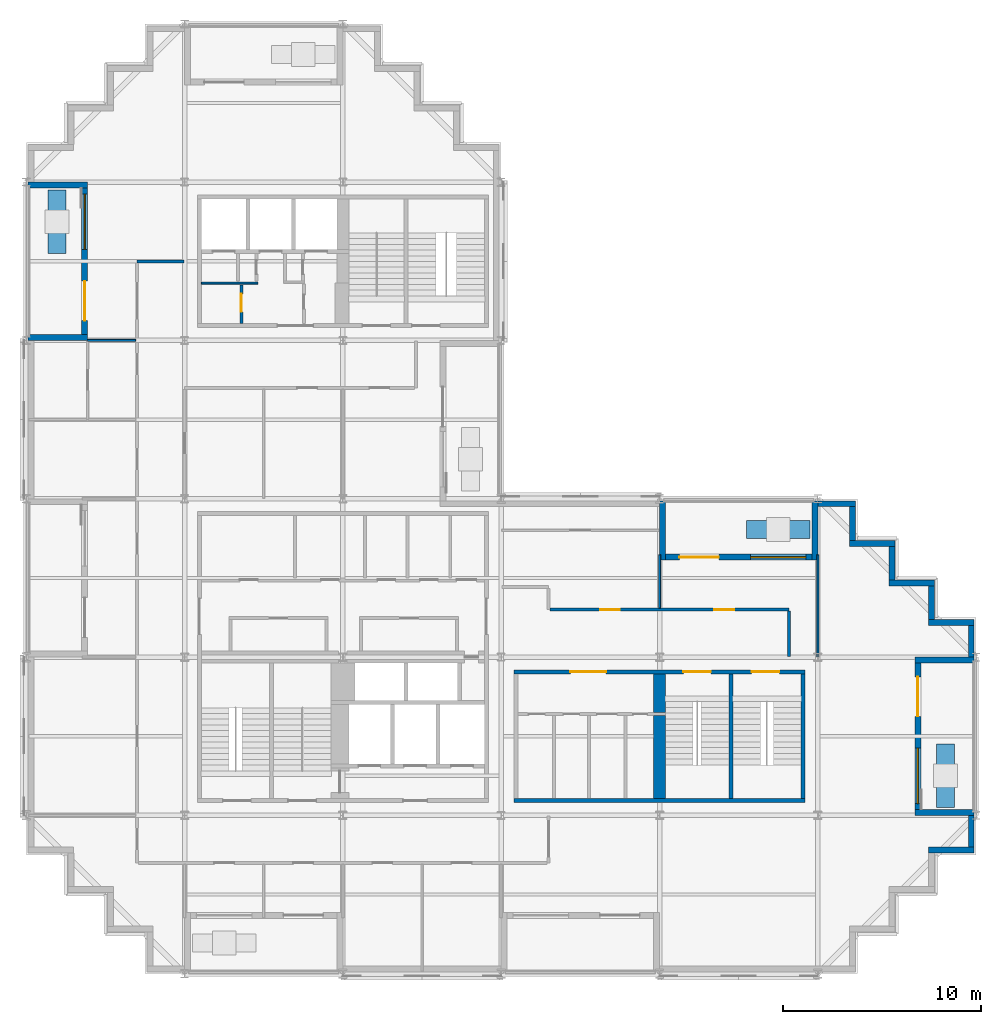
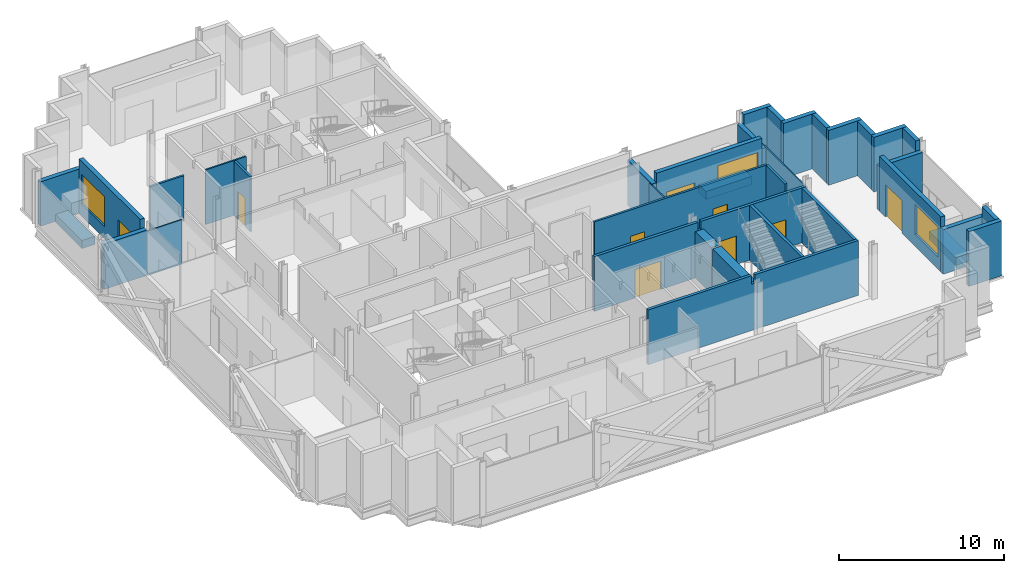
# One storey, part 7 of 12: 36 walls, 9 doors, 3 windows, 12 openings.
"""IFC4 building model written with IfcOpenShell, lengths in metres."""

from ifc_helpers import new_model, si_unit, direction, frame, frame_2d, origin, place, context, subcontext, project, spatial, polyline, rectangle, outline, extrude, material, layer, layer_set, type_object, element, fill, save


model = new_model("IFC4")

# Units and contexts
model_context = context("Model", 3, precision=1e-05, world=origin(), true_north=direction((0.0, 1.0)))
body_context = subcontext(model_context, "Body", "Model", "MODEL_VIEW")
ifc_project = project(units=[si_unit("LENGTHUNIT", "METRE"), si_unit("AREAUNIT", "SQUARE_METRE"), si_unit("VOLUMEUNIT", "CUBIC_METRE"), si_unit("PLANEANGLEUNIT", "RADIAN"), si_unit("MASSUNIT", "GRAM", prefix="KILO")], contexts=[model_context])

# Site, building, storey
site_placement = place(None, origin())
site = spatial("IfcSite", under=ifc_project, at=site_placement, CompositionType="ELEMENT")
building_placement = place(site_placement, origin())
building = spatial("IfcBuilding", under=site, at=building_placement, Name="Immortelle Media Tower", CompositionType="ELEMENT")
storey_placement = place(building_placement, frame((0.0, 0.0, 124.199951171875)))
storey = spatial("IfcBuildingStorey", under=building, at=storey_placement, Name="L24", CompositionType="ELEMENT", Elevation=124.199951171875)

# Wall
ifc_material_1 = material(Name="Fire-rated gypsum board", Category="gypsum")
ifc_layer_1 = layer(ifc_material_1, 0.02490234375)
ifc_material_2 = material(Name="Steel ASTM A653 SS Gr 50 stud frame with mineral wool", Category="steel")
ifc_layer_2 = layer(ifc_material_2, 0.050048828125)
ifc_layer_3 = layer(ifc_material_1, 0.02490234375)
ifc_layer_set_1 = layer_set([ifc_layer_1, ifc_layer_2, ifc_layer_3], Name="Steel ASTM A653 SS Gr 50 stud frame with mineral wool")
wall_type_1 = type_object("IfcWallType", Name="Core partition 100", PredefinedType="PARTITIONING", material=ifc_layer_set_1)
wall_1_placement = place(storey_placement, frame((8.85009765625, 34.89990234375, 0.0), z_axis=(0.0, 0.0, 1.0), x_axis=(1.0, 0.0, 0.0)))
element("IfcWall", 1, at=wall_1_placement, inside=storey, type_object=wall_type_1, Name="Core partition NW", PredefinedType="PARTITIONING", context=body_context, shape_type="SweptSolid", body=[
    extrude(rectangle(XDim=2.849853515625, YDim=0.10009765625, at=frame_2d((1.4248046875, 0.0))), origin(), (0.0, 0.0, 1.0), 4.050048828125),
])

# Wall, opening, door
ifc_layer_4 = layer(ifc_material_1, 0.02490234375)
ifc_layer_5 = layer(ifc_material_2, 0.10009765625)
ifc_layer_6 = layer(ifc_material_1, 0.02490234375)
ifc_layer_set_2 = layer_set([ifc_layer_4, ifc_layer_5, ifc_layer_6], Name="Steel ASTM A653 SS Gr 50 stud frame with mineral wool")
wall_type_2 = type_object("IfcWallType", Name="Core partition 150", PredefinedType="PARTITIONING", material=ifc_layer_set_2)
wall_2_placement = place(storey_placement, frame((10.875, 32.85009765625, 0.0), z_axis=(0.0, 0.0, 1.0), x_axis=(0.0, 1.0, 0.0)))
wall_2 = element("IfcWall", 2, at=wall_2_placement, inside=storey, type_object=wall_type_2, Name="Core partition NW", PredefinedType="PARTITIONING", context=body_context, shape_type="SweptSolid", body=[
    extrude(rectangle(XDim=1.949951171875, YDim=0.14990234375, at=frame_2d((0.97509765625, 0.0))), origin(), (0.0, 0.0, 1.0), 4.050048828125),
])
opening_1_placement = place(wall_2_placement, frame((0.60009765625, 0.0, 0.0)))
opening_1 = element("IfcOpeningElement", 3, at=opening_1_placement, cuts=wall_2, Name="Opening C1-K026", PredefinedType="OPENING", context=body_context, shape_type="SweptSolid", body=[
    extrude(rectangle(XDim=0.89990234375, YDim=2.10009765625, at=frame_2d((0.449951171875, 1.050048828125))), frame((0.0, 0.0849609375, 0.0), z_axis=(0.0, -1.0, 0.0), x_axis=(1.0, 0.0, 0.0)), (0.0, 0.0, 1.0), 0.169921875),
])
ifc_material_3 = material(Name="Galvanised steel door leaf and frame ASTM A653", Category="steel")
door_type_1 = type_object("IfcDoorType", Name="Service door 900 x 2100", OperationType="NOTDEFINED", PredefinedType="NOTDEFINED", material=ifc_material_3)
door_1_placement = place(opening_1_placement, origin())
door_1 = element("IfcDoor", 4, at=door_1_placement, inside=storey, type_object=door_type_1, Name="Service C1-K026", OperationType="SINGLE_SWING_RIGHT", OverallHeight=2.10009765625, OverallWidth=0.89990234375, PredefinedType="NOTDEFINED", context=body_context, shape_type="SweptSolid", body=[
    extrude(rectangle(XDim=0.89990234375, YDim=2.10009765625, at=frame_2d((0.449951171875, 1.050048828125))), frame((0.0, 0.02490234375, 0.0), z_axis=(0.0, -1.0, 0.0), x_axis=(1.0, 0.0, 0.0)), (0.0, 0.0, 1.0), 0.050048828125),
])
fill(opening_1, door_1)

# Wall
ifc_layer_7 = layer(ifc_material_1, 0.012451171875)
ifc_layer_8 = layer(ifc_material_2, 0.125)
ifc_layer_9 = layer(ifc_material_1, 0.012451171875)
ifc_layer_set_3 = layer_set([ifc_layer_7, ifc_layer_8, ifc_layer_9], Name="Steel ASTM A653 SS Gr 50 stud frame with mineral wool")
wall_type_3 = type_object("IfcWallType", Name="Corridor wall 150", PredefinedType="PARTITIONING", material=ifc_layer_set_3)
wall_3_placement = place(storey_placement, frame((38.550048828125, 16.030029296875, 0.0), z_axis=(0.0, 0.0, 1.0), x_axis=(0.0, 1.0, 0.0)))
element("IfcWall", 5, at=wall_3_placement, inside=storey, type_object=wall_type_3, Name="Partition L24-011", PredefinedType="PARTITIONING", context=body_context, shape_type="SweptSolid", body=[
    extrude(rectangle(XDim=2.294921875, YDim=0.14990234375, at=frame_2d((1.1474609375, 0.0))), origin(), (0.0, 0.0, 1.0), 4.050048828125),
])

# Wall, openings, doors
wall_4_placement = place(storey_placement, frame((26.47509765625, 18.39990234375, 0.0), z_axis=(0.0, 0.0, 1.0), x_axis=(1.0, 0.0, 0.0)))
wall_4 = element("IfcWall", 6, at=wall_4_placement, inside=storey, type_object=wall_type_3, Name="Partition L24-013", PredefinedType="PARTITIONING", context=body_context, shape_type="SweptSolid", body=[
    extrude(rectangle(XDim=12.074951171875, YDim=0.14990234375, at=frame_2d((6.03759765625, 0.0))), origin(), (0.0, 0.0, 1.0), 4.050048828125),
])
opening_2_placement = place(wall_4_placement, frame((8.300048828125, 0.0, 0.0)))
opening_2 = element("IfcOpeningElement", 7, at=opening_2_placement, cuts=wall_4, Name="Opening C1-F008", PredefinedType="OPENING", context=body_context, shape_type="SweptSolid", body=[
    extrude(rectangle(XDim=1.0, YDim=2.10009765625, at=frame_2d((0.5, 1.050048828125))), frame((0.0, 0.0849609375, 0.0), z_axis=(0.0, -1.0, 0.0), x_axis=(1.0, 0.0, 0.0)), (0.0, 0.0, 1.0), 0.169921875),
])
opening_3_placement = place(wall_4_placement, frame((2.52490234375, 0.0, 0.0)))
opening_3 = element("IfcOpeningElement", 8, at=opening_3_placement, cuts=wall_4, Name="Opening C1-F010", PredefinedType="OPENING", context=body_context, shape_type="SweptSolid", body=[
    extrude(rectangle(XDim=1.0, YDim=2.10009765625, at=frame_2d((0.5, 1.050048828125))), frame((0.0, 0.0849609375, 0.0), z_axis=(0.0, -1.0, 0.0), x_axis=(1.0, 0.0, 0.0)), (0.0, 0.0, 1.0), 0.169921875),
])
ifc_material_4 = material(Name="Timber veneered door leaf, galvanised steel frame ASTM A653", Category="steel")
door_type_2 = type_object("IfcDoorType", Name="Room door 1000 x 2100", OperationType="NOTDEFINED", PredefinedType="DOOR", material=ifc_material_4)
door_2_placement = place(opening_2_placement, origin())
door_2 = element("IfcDoor", 9, at=door_2_placement, inside=storey, type_object=door_type_2, Name="Door C1-F008", OperationType="SINGLE_SWING_LEFT", OverallHeight=2.10009765625, OverallWidth=1.0, PredefinedType="DOOR", context=body_context, shape_type="SweptSolid", body=[
    extrude(rectangle(XDim=1.0, YDim=2.10009765625, at=frame_2d((0.5, 1.050048828125))), frame((0.0, 0.02490234375, 0.0), z_axis=(0.0, -1.0, 0.0), x_axis=(1.0, 0.0, 0.0)), (0.0, 0.0, 1.0), 0.050048828125),
])
fill(opening_2, door_2)
door_3_placement = place(opening_3_placement, origin())
door_3 = element("IfcDoor", 10, at=door_3_placement, inside=storey, type_object=door_type_2, Name="Door C1-F010", OperationType="SINGLE_SWING_RIGHT", OverallHeight=2.10009765625, OverallWidth=1.0, PredefinedType="DOOR", context=body_context, shape_type="SweptSolid", body=[
    extrude(rectangle(XDim=1.0, YDim=2.10009765625, at=frame_2d((0.5, 1.050048828125))), frame((0.0, 0.02490234375, 0.0), z_axis=(0.0, -1.0, 0.0), x_axis=(1.0, 0.0, 0.0)), (0.0, 0.0, 1.0), 0.050048828125),
])
fill(opening_3, door_3)

# Walls
wall_5_placement = place(storey_placement, frame((5.60009765625, 36.0, 0.0), z_axis=(0.0, 0.0, 1.0), x_axis=(1.0, 0.0, 0.0)))
element("IfcWall", 11, at=wall_5_placement, inside=storey, type_object=wall_type_3, Name="Partition L24-028", PredefinedType="PARTITIONING", context=body_context, shape_type="SweptSolid", body=[
    extrude(rectangle(XDim=2.369873046875, YDim=0.14990234375, at=frame_2d((1.18505859375, 0.0))), origin(), (0.0, 0.0, 1.0), 3.2880859375),
])
ifc_material_5 = material(Name="Pale aluminium cladding panel", Category="aluminium")
ifc_layer_10 = layer(ifc_material_5, 0.030029296875)
ifc_layer_11 = layer(ifc_material_2, 0.257568359375)
ifc_material_6 = material(Name="Moisture-resistant gypsum board", Category="gypsum")
ifc_layer_12 = layer(ifc_material_6, 0.012451171875)
ifc_layer_set_4 = layer_set([ifc_layer_10, ifc_layer_11, ifc_layer_12], Name="Steel ASTM A653 SS Gr 50 stud frame with mineral wool")
wall_type_4 = type_object("IfcWallType", Name="Facade wall 300", PredefinedType="SOLIDWALL", material=ifc_layer_set_4)
wall_6_placement = place(storey_placement, frame((45.60009765625, 6.25, 0.0), z_axis=(0.0, 0.0, 1.0), x_axis=(1.0, 0.0, 0.0)))
element("IfcWall", 12, at=wall_6_placement, inside=storey, type_object=wall_type_4, Name="Facade wall L24 S12", PredefinedType="SOLIDWALL", context=body_context, shape_type="SweptSolid", body=[
    extrude(rectangle(XDim=2.2998046875, YDim=0.300048828125, at=frame_2d((1.14990234375, 0.0))), origin(), (0.0, 0.0, 1.0), 4.050048828125),
])
wall_7_placement = place(storey_placement, frame((47.75, 6.39990234375, 0.0), z_axis=(0.0, 0.0, 1.0), x_axis=(0.0, 1.0, 0.0)))
element("IfcWall", 13, at=wall_7_placement, inside=storey, type_object=wall_type_4, Name="Facade wall L24 E13", PredefinedType="SOLIDWALL", context=body_context, shape_type="SweptSolid", body=[
    extrude(rectangle(XDim=1.60009765625, YDim=0.300048828125, at=frame_2d((0.800048828125, 0.0))), origin(), (0.0, 0.0, 1.0), 4.050048828125),
])

# Wall, openings, door, window
wall_8_placement = place(storey_placement, frame((45.050048828125, 8.300048828125, 0.0), z_axis=(0.0, 0.0, 1.0), x_axis=(0.0, 1.0, 0.0)))
wall_8 = element("IfcWall", 14, at=wall_8_placement, inside=storey, type_object=wall_type_4, Name="Loggia wall L24 E13", PredefinedType="SOLIDWALL", context=body_context, shape_type="SweptSolid", body=[
    extrude(rectangle(XDim=7.39990234375, YDim=0.300048828125, at=frame_2d((3.699951171875, 0.0))), origin(), (0.0, 0.0, 1.0), 4.050048828125),
])
opening_4_placement = place(wall_8_placement, frame((0.300048828125, 0.0, 0.89990234375)))
opening_4 = element("IfcOpeningElement", 15, at=opening_4_placement, cuts=wall_8, Name="Opening W1", PredefinedType="OPENING", context=body_context, shape_type="SweptSolid", body=[
    extrude(rectangle(XDim=2.800048828125, YDim=2.199951171875, at=frame_2d((1.39990234375, 1.10009765625))), frame((0.0, 0.159912109375, 0.0), z_axis=(0.0, -1.0, 0.0), x_axis=(1.0, 0.0, 0.0)), (0.0, 0.0, 1.0), 0.320068359375),
])
opening_5_placement = place(wall_8_placement, frame((4.699951171875, 0.0, 0.0)))
opening_5 = element("IfcOpeningElement", 16, at=opening_5_placement, cuts=wall_8, Name="Opening C1-E003", PredefinedType="OPENING", context=body_context, shape_type="SweptSolid", body=[
    extrude(rectangle(XDim=2.0, YDim=2.39990234375, at=frame_2d((1.0, 1.199951171875))), frame((0.0, 0.159912109375, 0.0), z_axis=(0.0, -1.0, 0.0), x_axis=(1.0, 0.0, 0.0)), (0.0, 0.0, 1.0), 0.320068359375),
])
ifc_material_7 = material(Name="Aluminium frame, glazed leaves", Category="aluminium")
door_type_3 = type_object("IfcDoorType", Name="Loggia door 2000 x 2400", OperationType="DOUBLE_DOOR_SINGLE_SWING", PredefinedType="DOOR", material=ifc_material_7)
door_4_placement = place(opening_5_placement, origin())
door_4 = element("IfcDoor", 17, at=door_4_placement, inside=storey, type_object=door_type_3, Name="Door C1-E003", OperationType="DOUBLE_DOOR_SINGLE_SWING", OverallHeight=2.39990234375, OverallWidth=2.0, PredefinedType="DOOR", context=body_context, shape_type="SweptSolid", body=[
    extrude(rectangle(XDim=2.0, YDim=2.39990234375, at=frame_2d((1.0, 1.199951171875))), frame((0.0, 0.02490234375, 0.0), z_axis=(0.0, -1.0, 0.0), x_axis=(1.0, 0.0, 0.0)), (0.0, 0.0, 1.0), 0.050048828125),
])
fill(opening_5, door_4)
ifc_material_8 = material(Name="Aluminium frame", Category="aluminium")
window_type = type_object("IfcWindowType", Name="Window 2800 x 2200", PartitioningType="SINGLE_PANEL", PredefinedType="WINDOW", material=ifc_material_8)
window_1_placement = place(opening_4_placement, origin())
window_1 = element("IfcWindow", 18, at=window_1_placement, inside=storey, type_object=window_type, Name="Window L24 L24-R13-B0", OverallHeight=2.199951171875, OverallWidth=2.800048828125, PartitioningType="SINGLE_PANEL", PredefinedType="WINDOW", context=body_context, shape_type="SweptSolid", body=[
    extrude(rectangle(XDim=2.800048828125, YDim=2.199951171875, at=frame_2d((1.39990234375, 1.10009765625))), frame((0.0, 0.030029296875, 0.0), z_axis=(0.0, -1.0, 0.0), x_axis=(1.0, 0.0, 0.0)), (0.0, 0.0, 1.0), 0.06005859375),
])
fill(opening_4, window_1)

# Walls
for number, where, z_axis, x_axis, name in (
    (19, (47.89990234375, 8.14990234375, 0.0), (0.0, 0.0, 1.0), (-1.0, 0.0, 0.0), "Loggia cheek wall L24 E"),
    (20, (47.89990234375, 15.85009765625, 0.0), (0.0, 0.0, 1.0), (-1.0, 0.0, 0.0), "Loggia cheek wall L24 E"),
):
    element("IfcWall", number, at=place(storey_placement, frame(where, z_axis=z_axis, x_axis=x_axis)), inside=storey, type_object=wall_type_4, Name=name, PredefinedType="SOLIDWALL", context=body_context, shape_type="SweptSolid", body=[
        extrude(rectangle(XDim=3.0, YDim=0.300048828125, at=frame_2d((1.5, 0.0))), origin(), (0.0, 0.0, 1.0), 3.287109375),
    ])
wall_9_placement = place(storey_placement, frame((47.75, 16.0, 0.0), z_axis=(0.0, 0.0, 1.0), x_axis=(0.0, 1.0, 0.0)))
element("IfcWall", 21, at=wall_9_placement, inside=storey, type_object=wall_type_4, Name="Facade wall L24 E13", PredefinedType="SOLIDWALL", context=body_context, shape_type="SweptSolid", body=[
    extrude(rectangle(XDim=1.60009765625, YDim=0.300048828125, at=frame_2d((0.800048828125, 0.0))), origin(), (0.0, 0.0, 1.0), 4.050048828125),
])
wall_10_placement = place(storey_placement, frame((47.89990234375, 17.75, 0.0), z_axis=(0.0, 0.0, 1.0), x_axis=(-1.0, 0.0, 0.0)))
element("IfcWall", 22, at=wall_10_placement, inside=storey, type_object=wall_type_4, Name="Facade wall L24 N14", PredefinedType="SOLIDWALL", context=body_context, shape_type="SweptSolid", body=[
    extrude(rectangle(XDim=2.2998046875, YDim=0.300048828125, at=frame_2d((1.14990234375, 0.0))), origin(), (0.0, 0.0, 1.0), 4.050048828125),
])
wall_11_placement = place(storey_placement, frame((45.75, 17.89990234375, 0.0), z_axis=(0.0, 0.0, 1.0), x_axis=(0.0, 1.0, 0.0)))
element("IfcWall", 23, at=wall_11_placement, inside=storey, type_object=wall_type_4, Name="Facade wall L24 E15", PredefinedType="SOLIDWALL", context=body_context, shape_type="SweptSolid", body=[
    extrude(rectangle(XDim=1.7001953125, YDim=0.300048828125, at=frame_2d((0.85009765625, 0.0))), origin(), (0.0, 0.0, 1.0), 4.050048828125),
])
wall_12_placement = place(storey_placement, frame((45.89990234375, 19.75, 0.0), z_axis=(0.0, 0.0, 1.0), x_axis=(-1.0, 0.0, 0.0)))
element("IfcWall", 24, at=wall_12_placement, inside=storey, type_object=wall_type_4, Name="Facade wall L24 N16", PredefinedType="SOLIDWALL", context=body_context, shape_type="SweptSolid", body=[
    extrude(rectangle(XDim=2.2998046875, YDim=0.300048828125, at=frame_2d((1.14990234375, 0.0))), origin(), (0.0, 0.0, 1.0), 4.050048828125),
])
wall_13_placement = place(storey_placement, frame((43.75, 19.89990234375, 0.0), z_axis=(0.0, 0.0, 1.0), x_axis=(0.0, 1.0, 0.0)))
element("IfcWall", 25, at=wall_13_placement, inside=storey, type_object=wall_type_4, Name="Facade wall L24 E17", PredefinedType="SOLIDWALL", context=body_context, shape_type="SweptSolid", body=[
    extrude(rectangle(XDim=1.7001953125, YDim=0.300048828125, at=frame_2d((0.85009765625, 0.0))), origin(), (0.0, 0.0, 1.0), 4.050048828125),
])
wall_14_placement = place(storey_placement, frame((43.89990234375, 21.75, 0.0), z_axis=(0.0, 0.0, 1.0), x_axis=(-1.0, 0.0, 0.0)))
element("IfcWall", 26, at=wall_14_placement, inside=storey, type_object=wall_type_4, Name="Facade wall L24 N18", PredefinedType="SOLIDWALL", context=body_context, shape_type="SweptSolid", body=[
    extrude(rectangle(XDim=2.2998046875, YDim=0.300048828125, at=frame_2d((1.14990234375, 0.0))), origin(), (0.0, 0.0, 1.0), 4.050048828125),
])
wall_15_placement = place(storey_placement, frame((41.75, 21.89990234375, 0.0), z_axis=(0.0, 0.0, 1.0), x_axis=(0.0, 1.0, 0.0)))
element("IfcWall", 27, at=wall_15_placement, inside=storey, type_object=wall_type_4, Name="Facade wall L24 E19", PredefinedType="SOLIDWALL", context=body_context, shape_type="SweptSolid", body=[
    extrude(rectangle(XDim=1.7001953125, YDim=0.300048828125, at=frame_2d((0.85009765625, 0.0))), origin(), (0.0, 0.0, 1.0), 4.050048828125),
])
wall_16_placement = place(storey_placement, frame((41.89990234375, 23.75, 0.0), z_axis=(0.0, 0.0, 1.0), x_axis=(-1.0, 0.0, 0.0)))
element("IfcWall", 28, at=wall_16_placement, inside=storey, type_object=wall_type_4, Name="Facade wall L24 N20", PredefinedType="SOLIDWALL", context=body_context, shape_type="SweptSolid", body=[
    extrude(rectangle(XDim=1.89990234375, YDim=0.300048828125, at=frame_2d((0.949951171875, 0.0))), origin(), (0.0, 0.0, 1.0), 4.050048828125),
])

# Wall, openings, door, window
wall_17_placement = place(storey_placement, frame((39.699951171875, 21.050048828125, 0.0), z_axis=(0.0, 0.0, 1.0), x_axis=(-1.0, 0.0, 0.0)))
wall_17 = element("IfcWall", 29, at=wall_17_placement, inside=storey, type_object=wall_type_4, Name="Loggia wall L24 N20", PredefinedType="SOLIDWALL", context=body_context, shape_type="SweptSolid", body=[
    extrude(rectangle(XDim=7.39990234375, YDim=0.300048828125, at=frame_2d((3.699951171875, 0.0))), origin(), (0.0, 0.0, 1.0), 4.050048828125),
])
opening_6_placement = place(wall_17_placement, frame((0.300048828125, 0.0, 0.89990234375)))
opening_6 = element("IfcOpeningElement", 30, at=opening_6_placement, cuts=wall_17, Name="Opening W1", PredefinedType="OPENING", context=body_context, shape_type="SweptSolid", body=[
    extrude(rectangle(XDim=2.800048828125, YDim=2.199951171875, at=frame_2d((1.39990234375, 1.10009765625))), frame((0.0, 0.159912109375, 0.0), z_axis=(0.0, -1.0, 0.0), x_axis=(1.0, 0.0, 0.0)), (0.0, 0.0, 1.0), 0.320068359375),
])
opening_7_placement = place(wall_17_placement, frame((4.699951171875, 0.0, 0.0)))
opening_7 = element("IfcOpeningElement", 31, at=opening_7_placement, cuts=wall_17, Name="Opening C1-E004", PredefinedType="OPENING", context=body_context, shape_type="SweptSolid", body=[
    extrude(rectangle(XDim=2.0, YDim=2.39990234375, at=frame_2d((1.0, 1.199951171875))), frame((0.0, 0.159912109375, 0.0), z_axis=(0.0, -1.0, 0.0), x_axis=(1.0, 0.0, 0.0)), (0.0, 0.0, 1.0), 0.320068359375),
])
door_5_placement = place(opening_7_placement, origin())
door_5 = element("IfcDoor", 32, at=door_5_placement, inside=storey, type_object=door_type_3, Name="Door C1-E004", OperationType="DOUBLE_DOOR_SINGLE_SWING", OverallHeight=2.39990234375, OverallWidth=2.0, PredefinedType="DOOR", context=body_context, shape_type="SweptSolid", body=[
    extrude(rectangle(XDim=2.0, YDim=2.39990234375, at=frame_2d((1.0, 1.199951171875))), frame((0.0, 0.02490234375, 0.0), z_axis=(0.0, -1.0, 0.0), x_axis=(1.0, 0.0, 0.0)), (0.0, 0.0, 1.0), 0.050048828125),
])
fill(opening_7, door_5)
window_2_placement = place(opening_6_placement, origin())
window_2 = element("IfcWindow", 33, at=window_2_placement, inside=storey, type_object=window_type, Name="Window L24 L24-R20-B0", OverallHeight=2.199951171875, OverallWidth=2.800048828125, PartitioningType="SINGLE_PANEL", PredefinedType="WINDOW", context=body_context, shape_type="SweptSolid", body=[
    extrude(rectangle(XDim=2.800048828125, YDim=2.199951171875, at=frame_2d((1.39990234375, 1.10009765625))), frame((0.0, 0.030029296875, 0.0), z_axis=(0.0, -1.0, 0.0), x_axis=(1.0, 0.0, 0.0)), (0.0, 0.0, 1.0), 0.06005859375),
])
fill(opening_6, window_2)

# Walls
wall_18_placement = place(storey_placement, frame((39.85009765625, 23.89990234375, 0.0), z_axis=(0.0, 0.0, 1.0), x_axis=(0.0, -1.0, 0.0)))
element("IfcWall", 34, at=wall_18_placement, inside=storey, type_object=wall_type_4, Name="Loggia cheek wall L24 N", PredefinedType="SOLIDWALL", context=body_context, shape_type="SweptSolid", body=[
    extrude(rectangle(XDim=3.0, YDim=0.300048828125, at=frame_2d((1.5, 0.0))), origin(), (0.0, 0.0, 1.0), 3.287109375),
])
wall_19_placement = place(storey_placement, frame((32.14990234375, 23.89990234375, 0.0), z_axis=(0.0, 0.0, 1.0), x_axis=(0.0, -1.0, 0.0)))
element("IfcWall", 35, at=wall_19_placement, inside=storey, type_object=wall_type_4, Name="Loggia cheek wall L24 N", PredefinedType="SOLIDWALL", context=body_context, shape_type="SweptSolid", body=[
    extrude(rectangle(XDim=3.0, YDim=0.300048828125, at=frame_2d((1.5, 0.0))), origin(), (0.0, 0.0, 1.0), 3.35595703125),
])

# Wall, openings, door, window
wall_20_placement = place(storey_placement, frame((2.949951171875, 39.699951171875, 0.0), z_axis=(0.0, 0.0, 1.0), x_axis=(0.0, -1.0, 0.0)))
wall_20 = element("IfcWall", 36, at=wall_20_placement, inside=storey, type_object=wall_type_4, Name="Loggia wall L24 W35", PredefinedType="SOLIDWALL", context=body_context, shape_type="SweptSolid", body=[
    extrude(rectangle(XDim=7.39990234375, YDim=0.300048828125, at=frame_2d((3.699951171875, 0.0))), origin(), (0.0, 0.0, 1.0), 4.050048828125),
])
opening_8_placement = place(wall_20_placement, frame((0.300048828125, 0.0, 0.89990234375)))
opening_8 = element("IfcOpeningElement", 37, at=opening_8_placement, cuts=wall_20, Name="Opening W1", PredefinedType="OPENING", context=body_context, shape_type="SweptSolid", body=[
    extrude(rectangle(XDim=2.800048828125, YDim=2.199951171875, at=frame_2d((1.39990234375, 1.10009765625))), frame((0.0, 0.159912109375, 0.0), z_axis=(0.0, -1.0, 0.0), x_axis=(1.0, 0.0, 0.0)), (0.0, 0.0, 1.0), 0.320068359375),
])
opening_9_placement = place(wall_20_placement, frame((4.699951171875, 0.0, 0.0)))
opening_9 = element("IfcOpeningElement", 38, at=opening_9_placement, cuts=wall_20, Name="Opening C1-E007", PredefinedType="OPENING", context=body_context, shape_type="SweptSolid", body=[
    extrude(rectangle(XDim=2.0, YDim=2.39990234375, at=frame_2d((1.0, 1.199951171875))), frame((0.0, 0.159912109375, 0.0), z_axis=(0.0, -1.0, 0.0), x_axis=(1.0, 0.0, 0.0)), (0.0, 0.0, 1.0), 0.320068359375),
])
door_6_placement = place(opening_9_placement, origin())
door_6 = element("IfcDoor", 39, at=door_6_placement, inside=storey, type_object=door_type_3, Name="Door C1-E007", OperationType="DOUBLE_DOOR_SINGLE_SWING", OverallHeight=2.39990234375, OverallWidth=2.0, PredefinedType="DOOR", context=body_context, shape_type="SweptSolid", body=[
    extrude(rectangle(XDim=2.0, YDim=2.39990234375, at=frame_2d((1.0, 1.199951171875))), frame((0.0, 0.02490234375, 0.0), z_axis=(0.0, -1.0, 0.0), x_axis=(1.0, 0.0, 0.0)), (0.0, 0.0, 1.0), 0.050048828125),
])
fill(opening_9, door_6)
window_3_placement = place(opening_8_placement, origin())
window_3 = element("IfcWindow", 40, at=window_3_placement, inside=storey, type_object=window_type, Name="Window L24 L24-R35-B0", OverallHeight=2.199951171875, OverallWidth=2.800048828125, PartitioningType="SINGLE_PANEL", PredefinedType="WINDOW", context=body_context, shape_type="SweptSolid", body=[
    extrude(rectangle(XDim=2.800048828125, YDim=2.199951171875, at=frame_2d((1.39990234375, 1.10009765625))), frame((0.0, 0.030029296875, 0.0), z_axis=(0.0, -1.0, 0.0), x_axis=(1.0, 0.0, 0.0)), (0.0, 0.0, 1.0), 0.06005859375),
])
fill(opening_8, window_3)

# Walls
wall_21_placement = place(storey_placement, frame((0.10009765625, 39.85009765625, 0.0), z_axis=(0.0, 0.0, 1.0), x_axis=(1.0, 0.0, 0.0)))
element("IfcWall", 41, at=wall_21_placement, inside=storey, type_object=wall_type_4, Name="Loggia cheek wall L24 W", PredefinedType="SOLIDWALL", context=body_context, shape_type="SweptSolid", body=[
    extrude(rectangle(XDim=3.0, YDim=0.300048828125, at=frame_2d((1.5, 0.0))), origin(), (0.0, 0.0, 1.0), 3.287109375),
])
wall_22_placement = place(storey_placement, frame((0.10009765625, 32.14990234375, 0.0), z_axis=(0.0, 0.0, 1.0), x_axis=(1.0, 0.0, 0.0)))
element("IfcWall", 42, at=wall_22_placement, inside=storey, type_object=wall_type_4, Name="Loggia cheek wall L24 W", PredefinedType="SOLIDWALL", context=body_context, shape_type="SweptSolid", body=[
    extrude(rectangle(XDim=3.0, YDim=0.300048828125, at=frame_2d((1.5, 0.0))), origin(), (0.0, 0.0, 1.0), 3.35595703125),
])
ifc_material_9 = material(Name="Gypsum board", Category="gypsum")
ifc_layer_13 = layer(ifc_material_9, 0.012451171875)
ifc_layer_14 = layer(ifc_material_2, 0.074951171875)
ifc_layer_15 = layer(ifc_material_9, 0.012451171875)
ifc_layer_set_5 = layer_set([ifc_layer_13, ifc_layer_14, ifc_layer_15], Name="Steel ASTM A653 SS Gr 50 stud frame with mineral wool")
wall_type_5 = type_object("IfcWallType", Name="Partition 100", PredefinedType="PARTITIONING", material=ifc_layer_set_5)
wall_23_placement = place(storey_placement, frame((40.0, 16.030029296875, 0.0), z_axis=(0.0, 0.0, 1.0), x_axis=(0.0, 1.0, 0.0)))
element("IfcWall", 43, at=wall_23_placement, inside=storey, type_object=wall_type_5, Name="Partition L24-012", PredefinedType="PARTITIONING", context=body_context, shape_type="SweptSolid", body=[
    extrude(rectangle(XDim=5.139892578125, YDim=0.10009765625, at=frame_2d((2.56982421875, 0.0))), origin(), (0.0, 0.0, 1.0), 3.2880859375),
])
wall_24_placement = place(storey_placement, frame((32.0, 18.47509765625, 0.0), z_axis=(0.0, 0.0, 1.0), x_axis=(0.0, 1.0, 0.0)))
element("IfcWall", 44, at=wall_24_placement, inside=storey, type_object=wall_type_5, Name="Partition L24-015", PredefinedType="PARTITIONING", context=body_context, shape_type="SweptSolid", body=[
    extrude(rectangle(XDim=2.69482421875, YDim=0.10009765625, at=frame_2d((1.347412109375, 0.0))), origin(), (0.0, 0.0, 1.0), 3.2880859375),
])
wall_25_placement = place(storey_placement, frame((3.10009765625, 32.0, 0.0), z_axis=(0.0, 0.0, 1.0), x_axis=(1.0, 0.0, 0.0)))
element("IfcWall", 45, at=wall_25_placement, inside=storey, type_object=wall_type_5, Name="Partition L24-027", PredefinedType="PARTITIONING", context=body_context, shape_type="SweptSolid", body=[
    extrude(rectangle(XDim=2.4248046875, YDim=0.10009765625, at=frame_2d((1.21240234375, 0.0))), origin(), (0.0, 0.0, 1.0), 3.2880859375),
])
ifc_layer_16 = layer(ifc_material_5, 0.0029296875)
ifc_material_10 = material(Name="Steel ASTM A572 Gr 50 planter shell", Category="steel")
ifc_layer_17 = layer(ifc_material_10, 0.011962890625)
ifc_material_11 = material(Name="Planting substrate", Category="soil")
ifc_layer_18 = layer(ifc_material_11, 0.873046875)
ifc_layer_19 = layer(ifc_material_10, 0.011962890625)
ifc_layer_set_6 = layer_set([ifc_layer_16, ifc_layer_17, ifc_layer_18, ifc_layer_19], Name="Steel ASTM A572 Gr 50 planter shell")
wall_type_6 = type_object("IfcWallType", Name="Planter wall 900", PredefinedType="SOLIDWALL", material=ifc_layer_set_6)
for number, where, z_axis, x_axis, name in (
    (46, (46.449951171875, 8.39990234375, 0.0), (0.0, 0.0, 1.0), (0.0, 1.0, 0.0), "Planter L24 E0"),
    (47, (39.60009765625, 22.449951171875, 0.0), (0.0, 0.0, 1.0), (-1.0, 0.0, 0.0), "Planter L24 N0"),
    (48, (1.550048828125, 39.60009765625, 0.0), (0.0, 0.0, 1.0), (0.0, -1.0, 0.0), "Planter L24 W0"),
):
    element("IfcWall", number, at=place(storey_placement, frame(where, z_axis=z_axis, x_axis=x_axis)), inside=storey, type_object=wall_type_6, Name=name, PredefinedType="SOLIDWALL", context=body_context, shape_type="SweptSolid", body=[
        extrude(rectangle(XDim=3.2001953125, YDim=0.89990234375, at=frame_2d((1.60009765625, 0.0))), origin(), (0.0, 0.0, 1.0), 0.60009765625),
    ])
ifc_material_12 = material(Name="Concrete C60", Category="concrete")
ifc_layer_20 = layer(ifc_material_12, 0.199951171875)
ifc_layer_set_7 = layer_set([ifc_layer_20], Name="Concrete C60")
wall_type_7 = type_object("IfcWallType", Name="Stair shaft wall 200", PredefinedType="PARTITIONING", material=ifc_layer_set_7)
wall_26_placement = place(storey_placement, frame((24.64990234375, 8.75, 0.0), z_axis=(0.0, 0.0, 1.0), x_axis=(1.0, 0.0, 0.0)))
element("IfcWall", 49, at=wall_26_placement, inside=storey, type_object=wall_type_7, Name="Stair shaft wall SE", PredefinedType="PARTITIONING", context=body_context, shape_type="SweptSolid", body=[
    extrude(outline(polyline([(0.0, 0.0), (14.7001953125, 0.0), (14.699951171875, 4.050048828125), (7.469482421875, 4.050048828125), (7.468505859375, 3.43212890625), (7.2314453125, 3.43212890625), (7.23046875, 4.050048828125), (0.0, 4.050048828125), (0.0, 0.0)])), frame((0.0, 0.10009765625, 0.0), z_axis=(0.0, -1.0, 0.0), x_axis=(1.0, 0.0, 0.0)), (0.0, 0.0, 1.0), 0.199951171875),
])

# Wall, openings, doors
wall_27_placement = place(storey_placement, frame((24.64990234375, 15.25, 0.0), z_axis=(0.0, 0.0, 1.0), x_axis=(1.0, 0.0, 0.0)))
wall_27 = element("IfcWall", 50, at=wall_27_placement, inside=storey, type_object=wall_type_7, Name="Stair shaft wall SE", PredefinedType="PARTITIONING", context=body_context, shape_type="SweptSolid", body=[
    extrude(outline(polyline([(0.0, 0.0), (14.7001953125, 0.0), (14.699951171875, 4.050048828125), (7.469482421875, 4.050048828125), (7.468505859375, 3.43212890625), (7.2314453125, 3.43212890625), (7.23046875, 4.050048828125), (0.0, 4.050048828125), (0.0, 0.0)])), frame((0.0, 0.10009765625, 0.0), z_axis=(0.0, -1.0, 0.0), x_axis=(1.0, 0.0, 0.0)), (0.0, 0.0, 1.0), 0.199951171875),
])
opening_10_placement = place(wall_27_placement, frame((2.85009765625, 0.0, 0.0)))
opening_10 = element("IfcOpeningElement", 51, at=opening_10_placement, cuts=wall_27, Name="Opening C1-K020", PredefinedType="OPENING", context=body_context, shape_type="SweptSolid", body=[
    extrude(rectangle(XDim=1.800048828125, YDim=2.10009765625, at=frame_2d((0.89990234375, 1.050048828125))), frame((0.0, 0.10986328125, 0.0), z_axis=(0.0, -1.0, 0.0), x_axis=(1.0, 0.0, 0.0)), (0.0, 0.0, 1.0), 0.219970703125),
])
opening_11_placement = place(wall_27_placement, frame((9.949951171875, 0.0, 0.0), z_axis=(0.0, 0.0, 1.0), x_axis=(-1.0, 0.0, 0.0)))
opening_11 = element("IfcOpeningElement", 52, at=opening_11_placement, cuts=wall_27, Name="Opening C1-K023", PredefinedType="OPENING", context=body_context, shape_type="SweptSolid", body=[
    extrude(rectangle(XDim=1.39990234375, YDim=2.10009765625, at=frame_2d((0.699951171875, 1.050048828125))), frame((0.0, 0.10986328125, 0.0), z_axis=(0.0, -1.0, 0.0), x_axis=(1.0, 0.0, 0.0)), (0.0, 0.0, 1.0), 0.219970703125),
])
opening_12_placement = place(wall_27_placement, frame((13.39990234375, 0.0, 0.0), z_axis=(0.0, 0.0, 1.0), x_axis=(-1.0, 0.0, 0.0)))
opening_12 = element("IfcOpeningElement", 53, at=opening_12_placement, cuts=wall_27, Name="Opening C1-K024", PredefinedType="OPENING", context=body_context, shape_type="SweptSolid", body=[
    extrude(rectangle(XDim=1.39990234375, YDim=2.10009765625, at=frame_2d((0.699951171875, 1.050048828125))), frame((0.0, 0.10986328125, 0.0), z_axis=(0.0, -1.0, 0.0), x_axis=(1.0, 0.0, 0.0)), (0.0, 0.0, 1.0), 0.219970703125),
])
door_type_4 = type_object("IfcDoorType", Name="Lift lobby door 1800 x 2100", OperationType="DOUBLE_DOOR_SINGLE_SWING", PredefinedType="NOTDEFINED", material=ifc_material_3)
door_7_placement = place(opening_10_placement, origin())
door_7 = element("IfcDoor", 54, at=door_7_placement, inside=storey, type_object=door_type_4, Name="Lift lobby C1-K020", OperationType="DOUBLE_DOOR_SINGLE_SWING", OverallHeight=2.10009765625, OverallWidth=1.800048828125, PredefinedType="NOTDEFINED", context=body_context, shape_type="SweptSolid", body=[
    extrude(rectangle(XDim=1.800048828125, YDim=2.10009765625, at=frame_2d((0.89990234375, 1.050048828125))), frame((0.0, 0.02490234375, 0.0), z_axis=(0.0, -1.0, 0.0), x_axis=(1.0, 0.0, 0.0)), (0.0, 0.0, 1.0), 0.050048828125),
])
fill(opening_10, door_7)
door_type_5 = type_object("IfcDoorType", Name="Stair door 1400 x 2100", OperationType="DOUBLE_DOOR_SINGLE_SWING", PredefinedType="NOTDEFINED", material=ifc_material_3)
door_8_placement = place(opening_11_placement, origin())
door_8 = element("IfcDoor", 55, at=door_8_placement, inside=storey, type_object=door_type_5, Name="Stair C1-K023", OperationType="DOUBLE_DOOR_SINGLE_SWING", OverallHeight=2.10009765625, OverallWidth=1.39990234375, PredefinedType="NOTDEFINED", context=body_context, shape_type="SweptSolid", body=[
    extrude(rectangle(XDim=1.39990234375, YDim=2.10009765625, at=frame_2d((0.699951171875, 1.050048828125))), frame((0.0, 0.02490234375, 0.0), z_axis=(0.0, -1.0, 0.0), x_axis=(1.0, 0.0, 0.0)), (0.0, 0.0, 1.0), 0.050048828125),
])
fill(opening_11, door_8)
door_9_placement = place(opening_12_placement, origin())
door_9 = element("IfcDoor", 56, at=door_9_placement, inside=storey, type_object=door_type_5, Name="Stair C1-K024", OperationType="DOUBLE_DOOR_SINGLE_SWING", OverallHeight=2.10009765625, OverallWidth=1.39990234375, PredefinedType="NOTDEFINED", context=body_context, shape_type="SweptSolid", body=[
    extrude(rectangle(XDim=1.39990234375, YDim=2.10009765625, at=frame_2d((0.699951171875, 1.050048828125))), frame((0.0, 0.02490234375, 0.0), z_axis=(0.0, -1.0, 0.0), x_axis=(1.0, 0.0, 0.0)), (0.0, 0.0, 1.0), 0.050048828125),
])
fill(opening_12, door_9)

# Walls
for number, where, z_axis, x_axis, name in (
    (57, (35.60009765625, 8.85009765625, 0.0), (0.0, 0.0, 1.0), (0.0, 1.0, 0.0), "Stair shaft wall SE"),
    (58, (39.25, 8.85009765625, 0.0), (0.0, 0.0, 1.0), (0.0, 1.0, 0.0), "Stair shaft wall SE"),
):
    element("IfcWall", number, at=place(storey_placement, frame(where, z_axis=z_axis, x_axis=x_axis)), inside=storey, type_object=wall_type_7, Name=name, PredefinedType="PARTITIONING", context=body_context, shape_type="SweptSolid", body=[
        extrude(rectangle(XDim=6.2998046875, YDim=0.199951171875, at=frame_2d((3.14990234375, 0.0))), origin(), (0.0, 0.0, 1.0), 4.050048828125),
    ])
ifc_layer_21 = layer(ifc_material_12, 0.60009765625)
ifc_layer_set_8 = layer_set([ifc_layer_21], Name="Concrete C60")
wall_type_8 = type_object("IfcWallType", Name="Stair shaft wall 600", PredefinedType="PARTITIONING", material=ifc_layer_set_8)
wall_28_placement = place(storey_placement, frame((32.0, 8.85009765625, 0.0), z_axis=(0.0, 0.0, 1.0), x_axis=(0.0, 1.0, 0.0)))
element("IfcWall", 59, at=wall_28_placement, inside=storey, type_object=wall_type_8, Name="Stair shaft wall SE", PredefinedType="PARTITIONING", context=body_context, shape_type="SweptSolid", body=[
    extrude(rectangle(XDim=4.199951171875, YDim=0.60009765625, at=frame_2d((2.10009765625, 0.0))), origin(), (0.0, 0.0, 1.0), 3.43212890625),
])
wall_29_placement = place(storey_placement, frame((32.0, 13.199951171875, 0.0), z_axis=(0.0, 0.0, 1.0), x_axis=(0.0, 1.0, 0.0)))
element("IfcWall", 60, at=wall_29_placement, inside=storey, type_object=wall_type_8, Name="Stair shaft wall SE", PredefinedType="PARTITIONING", context=body_context, shape_type="SweptSolid", body=[
    extrude(rectangle(XDim=1.949951171875, YDim=0.60009765625, at=frame_2d((0.97509765625, 0.0))), origin(), (0.0, 0.0, 1.0), 3.43212890625),
])

save(model, "model.ifc")
